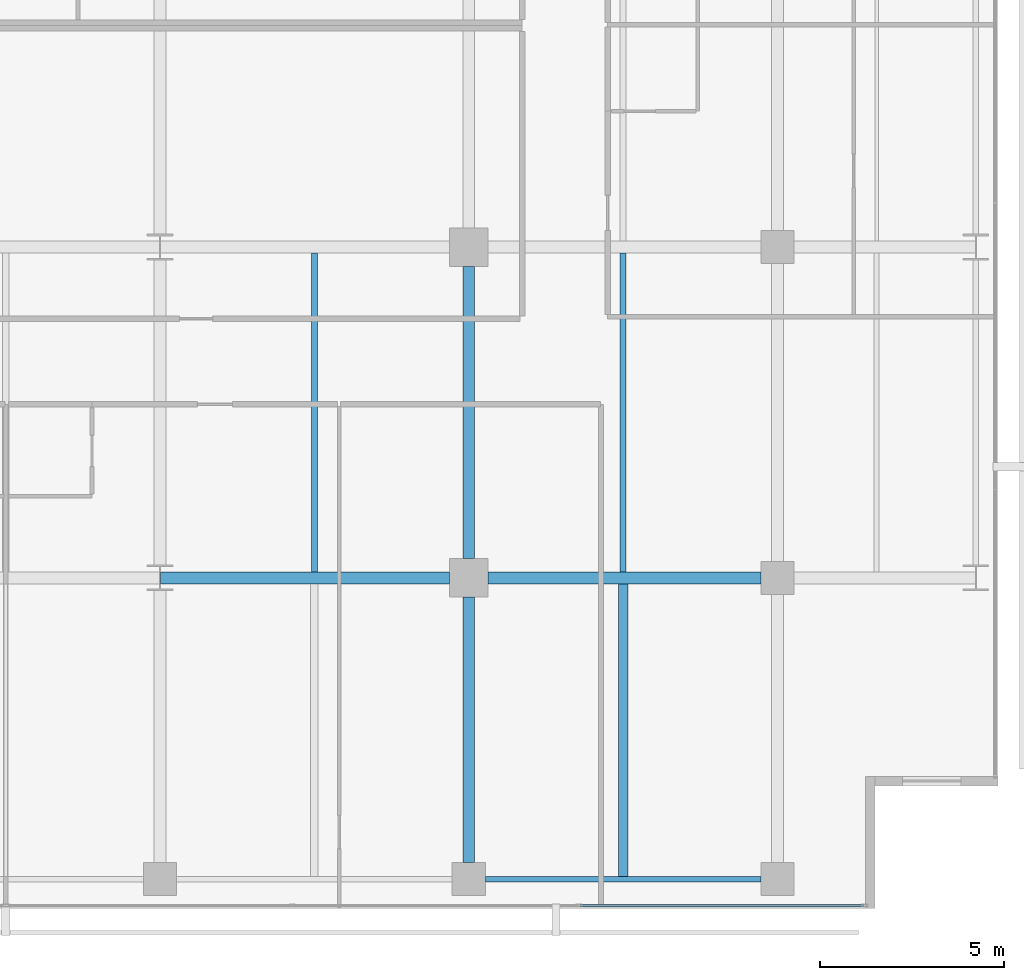
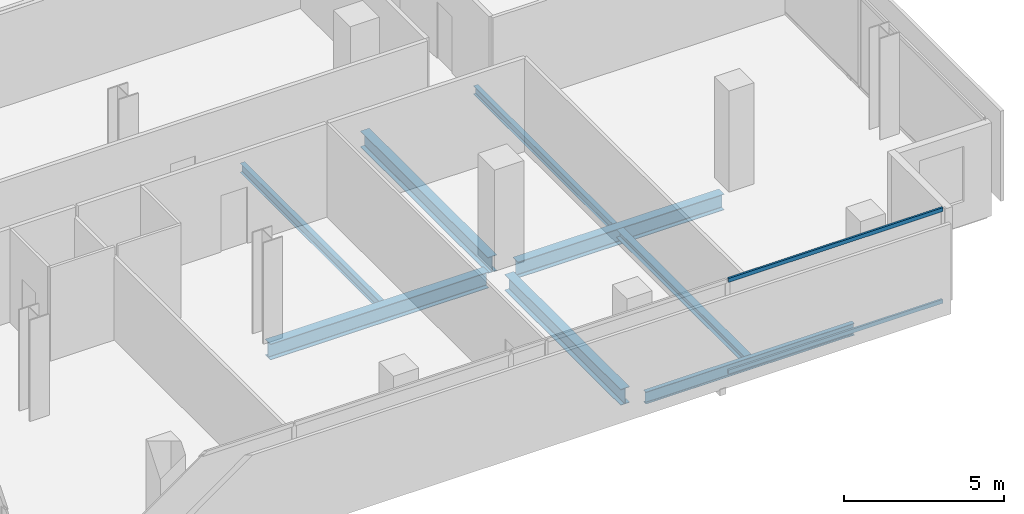
# One storey, part 15 of 39: 8 beams, 2 members, 1 element without a shape of its own.
"""IFC4 building model written with IfcOpenShell, lengths in metres."""

from ifc_helpers import new_model, si_unit, direction, frame, origin, origin_2d, place, context, subcontext, project, spatial, hollow_rectangle, i_section, extrude, material, layer, layer_set, material_profile, profile_set, type_object, element, aggregate, save


model = new_model("IFC4")

# Units and contexts
model_context = context("Model", 3, precision=1e-05, world=origin(), true_north=direction((0.0, 1.0)))
body_context = subcontext(model_context, "Body", "Model", "MODEL_VIEW")
ifc_project = project(units=[si_unit("LENGTHUNIT", "METRE"), si_unit("AREAUNIT", "SQUARE_METRE"), si_unit("VOLUMEUNIT", "CUBIC_METRE"), si_unit("PLANEANGLEUNIT", "RADIAN"), si_unit("MASSUNIT", "GRAM", prefix="KILO")], contexts=[model_context])

# Site, building, storey
site_placement = place(None, origin())
site = spatial("IfcSite", under=ifc_project, at=site_placement, CompositionType="ELEMENT")
building_placement = place(site_placement, origin())
building = spatial("IfcBuilding", under=site, at=building_placement, Name="Maruvema Waterfront Hotel and Observation Tower", CompositionType="ELEMENT")
storey_placement = place(building_placement, frame((0.0, 0.0, 111.64990234375)))
storey = spatial("IfcBuildingStorey", under=building, at=storey_placement, Name="L27", CompositionType="ELEMENT", Elevation=111.64990234375)

# Curtain wall, members
ifc_material_1 = material(Name="Anodised bronze aluminium and solar-control low-E IGU", Category="aluminium")
ifc_layer = layer(ifc_material_1, 0.159912109375, Name="Zone 1 Bronze Inner Thermal Curtain Wall System CW-02")
ifc_layer_set = layer_set([ifc_layer], Name="Anodised bronze aluminium and solar-control low-E IGU")
curtain_wall_type = type_object("IfcCurtainWallType", Name="Zone 1 Bronze Inner Thermal Curtain Wall System CW-02", PredefinedType="USERDEFINED", material=ifc_layer_set)
curtain_wall_placement = place(storey_placement, origin())
curtain_wall = element("IfcCurtainWall", 1, at=curtain_wall_placement, inside=storey, type_object=curtain_wall_type, Name="L27 Curtain Wall CW-L27-S", ObjectType="UNITISED CURTAIN WALL", PredefinedType="USERDEFINED")
ifc_material_2 = material(Name="Anodised architectural bronze aluminium", Category="aluminium")
ifc_material_profile_1 = material_profile(ifc_material_2, hollow_rectangle(XDim=0.070068359375, YDim=0.14990234375, WallThickness=0.00390625, at=origin_2d()), Name="ALU-T70x150")
ifc_profile_set_1 = profile_set([ifc_material_profile_1], Name="Anodised architectural bronze aluminium")
member_type = type_object("IfcMemberType", Name="Curtain Wall Horizontal Transom ALU-T70x150", PredefinedType="USERDEFINED", material=ifc_profile_set_1)
member_1_placement = place(storey_placement, frame((53.429931640625, 0.080078125, 0.030029296875), z_axis=(1.0, 0.0, 0.0), x_axis=(0.0, 1.0, 0.0)))
member_1 = element("IfcMember", 2, at=member_1_placement, type_object=member_type, Name="CW-02 transom 6.1", ObjectType="TRANSOM", PredefinedType="USERDEFINED", context=body_context, shape_type="SweptSolid", body=[
    extrude(hollow_rectangle(XDim=0.070068359375, YDim=0.14990234375, WallThickness=0.00390625, at=origin_2d()), origin(), (0.0, 0.0, 1.0), 7.7099609375),
])
member_2_placement = place(storey_placement, frame((53.429931640625, 0.080078125, 3.52001953125), z_axis=(1.0, 0.0, 0.0), x_axis=(0.0, 1.0, 0.0)))
member_2 = element("IfcMember", 3, at=member_2_placement, type_object=member_type, Name="CW-02 transom 6.2", ObjectType="TRANSOM", PredefinedType="USERDEFINED", context=body_context, shape_type="SweptSolid", body=[
    extrude(hollow_rectangle(XDim=0.070068359375, YDim=0.14990234375, WallThickness=0.00390625, at=origin_2d()), origin(), (0.0, 0.0, 1.0), 7.7099609375),
])
aggregate(curtain_wall, [member_1, member_2])

# Beams
ifc_material_3 = material(Name="Steel ASTM A572 Grade 50", Category="steel")
ifc_material_profile_2 = material_profile(ifc_material_3, i_section(OverallWidth=0.153076171875, OverallDepth=0.455078125, WebThickness=0.008056640625, FlangeThickness=0.01318359375, FilletRadius=0.014892578125, at=origin_2d()), Name="W460x60.0")
ifc_profile_set_2 = profile_set([ifc_material_profile_2], Name="Steel ASTM A572 Grade 50")
beam_type_1 = type_object("IfcBeamType", Name="Perimeter Spandrel Beam W460x60.0", PredefinedType="SPANDREL", material=ifc_profile_set_2)
beam_1_placement = place(storey_placement, frame((50.85009765625, 0.800048828125, -0.46728515625), z_axis=(1.0, 0.0, 0.0), x_axis=(0.0, 1.0, 0.0)))
element("IfcBeam", 4, at=beam_1_placement, inside=storey, type_object=beam_type_1, Name="L27 Floor Girder EW-05", PredefinedType="SPANDREL", context=body_context, shape_type="SweptSolid", body=[
    extrude(i_section(OverallWidth=0.153076171875, OverallDepth=0.455078125, WebThickness=0.008056640625, FlangeThickness=0.01318359375, FilletRadius=0.014892578125, at=origin_2d()), origin(), (0.0, 0.0, 1.0), 7.5),
])
ifc_material_4 = material(Name="Steel ASTM A572 Grade 50", Category="steel")
ifc_material_profile_3 = material_profile(ifc_material_4, i_section(OverallWidth=0.323974609375, OverallDepth=0.611083984375, WebThickness=0.0126953125, FlangeThickness=0.01904296875, FilletRadius=0.01806640625, at=origin_2d()), Name="W610x155.0")
ifc_profile_set_3 = profile_set([ifc_material_profile_3], Name="Steel ASTM A572 Grade 50")
beam_type_2 = type_object("IfcBeamType", Name="Primary Floor Girder W610x155.0", PredefinedType="BEAM", material=ifc_profile_set_3)
beam_2_placement = place(storey_placement, frame((42.013916015625, 9.0, -0.54541015625), z_axis=(1.0, 0.0, 0.0), x_axis=(0.0, 1.0, 0.0)))
element("IfcBeam", 5, at=beam_2_placement, inside=storey, type_object=beam_type_2, Name="L27 Floor Girder EW-10", PredefinedType="BEAM", context=body_context, shape_type="SweptSolid", body=[
    extrude(i_section(OverallWidth=0.323974609375, OverallDepth=0.611083984375, WebThickness=0.0126953125, FlangeThickness=0.01904296875, FilletRadius=0.01806640625, at=origin_2d()), origin(), (0.0, 0.0, 1.0), 7.861083984375),
])
beam_3_placement = place(storey_placement, frame((50.925048828125, 9.0, -0.54541015625), z_axis=(1.0, 0.0, 0.0), x_axis=(0.0, 1.0, 0.0)))
element("IfcBeam", 6, at=beam_3_placement, inside=storey, type_object=beam_type_2, Name="L27 Floor Girder EW-11", PredefinedType="BEAM", context=body_context, shape_type="SweptSolid", body=[
    extrude(i_section(OverallWidth=0.323974609375, OverallDepth=0.611083984375, WebThickness=0.0126953125, FlangeThickness=0.01904296875, FilletRadius=0.01806640625, at=origin_2d()), origin(), (0.0, 0.0, 1.0), 7.425048828125),
])
beam_4_placement = place(storey_placement, frame((50.39990234375, 1.25, -0.54541015625), z_axis=(0.0, 1.0, 0.0), x_axis=(-1.0, 0.0, 0.0)))
element("IfcBeam", 7, at=beam_4_placement, inside=storey, type_object=beam_type_2, Name="L27 Floor Girder NS-22", PredefinedType="BEAM", context=body_context, shape_type="SweptSolid", body=[
    extrude(i_section(OverallWidth=0.323974609375, OverallDepth=0.611083984375, WebThickness=0.0126953125, FlangeThickness=0.01904296875, FilletRadius=0.01806640625, at=origin_2d()), origin(), (0.0, 0.0, 1.0), 7.22509765625),
])
beam_5_placement = place(storey_placement, frame((50.39990234375, 9.52490234375, -0.54541015625), z_axis=(0.0, 1.0, 0.0), x_axis=(-1.0, 0.0, 0.0)))
element("IfcBeam", 8, at=beam_5_placement, inside=storey, type_object=beam_type_2, Name="L27 Floor Girder NS-23", PredefinedType="BEAM", context=body_context, shape_type="SweptSolid", body=[
    extrude(i_section(OverallWidth=0.323974609375, OverallDepth=0.611083984375, WebThickness=0.0126953125, FlangeThickness=0.01904296875, FilletRadius=0.01806640625, at=origin_2d()), origin(), (0.0, 0.0, 1.0), 7.9501953125),
])
ifc_material_5 = material(Name="Steel ASTM A572 Grade 50", Category="steel")
ifc_material_profile_4 = material_profile(ifc_material_5, i_section(OverallWidth=0.1669921875, OverallDepth=0.31689453125, WebThickness=0.007568359375, FlangeThickness=0.01318359375, FilletRadius=0.012939453125, at=origin_2d()), Name="W310x52.0")
ifc_profile_set_4 = profile_set([ifc_material_profile_4], Name="Steel ASTM A572 Grade 50")
beam_type_3 = type_object("IfcBeamType", Name="Secondary Floor Joist W310x52.0", PredefinedType="JOIST", material=ifc_profile_set_4)
beam_6_placement = place(storey_placement, frame((54.60009765625, 9.162109375, -0.3984375), z_axis=(0.0, 1.0, 0.0), x_axis=(-1.0, 0.0, 0.0)))
element("IfcBeam", 9, at=beam_6_placement, inside=storey, type_object=beam_type_3, Name="L27 Secondary Floor Joist JS-17", PredefinedType="JOIST", context=body_context, shape_type="SweptSolid", body=[
    extrude(i_section(OverallWidth=0.1669921875, OverallDepth=0.31689453125, WebThickness=0.007568359375, FlangeThickness=0.01318359375, FilletRadius=0.012939453125, at=origin_2d()), origin(), (0.0, 0.0, 1.0), 8.67578125),
])
ifc_material_6 = material(Name="Steel ASTM A572 Grade 50", Category="steel")
ifc_material_profile_5 = material_profile(ifc_material_6, i_section(OverallWidth=0.25390625, OverallDepth=0.305908203125, WebThickness=0.0087890625, FlangeThickness=0.0146484375, FilletRadius=0.014892578125, at=origin_2d()), Name="W310x79.0")
ifc_profile_set_5 = profile_set([ifc_material_profile_5], Name="Steel ASTM A572 Grade 50")
beam_type_4 = type_object("IfcBeamType", Name="Secondary Floor Joist W310x79.0", PredefinedType="JOIST", material=ifc_profile_set_5)
beam_7_placement = place(storey_placement, frame((54.60009765625, 0.87646484375, -0.392822265625), z_axis=(0.0, 1.0, 0.0), x_axis=(-1.0, 0.0, 0.0)))
element("IfcBeam", 10, at=beam_7_placement, inside=storey, type_object=beam_type_4, Name="L27 Secondary Floor Joist JS-16", PredefinedType="JOIST", context=body_context, shape_type="SweptSolid", body=[
    extrude(i_section(OverallWidth=0.25390625, OverallDepth=0.305908203125, WebThickness=0.0087890625, FlangeThickness=0.0146484375, FilletRadius=0.014892578125, at=origin_2d()), origin(), (0.0, 0.0, 1.0), 7.96142578125),
])
ifc_material_7 = material(Name="Steel ASTM A572 Grade 50", Category="steel")
ifc_material_profile_6 = material_profile(ifc_material_7, i_section(OverallWidth=0.1708984375, OverallDepth=0.35498046875, WebThickness=0.007080078125, FlangeThickness=0.01171875, FilletRadius=0.014892578125, at=origin_2d()), Name="W360x51.0")
ifc_profile_set_6 = profile_set([ifc_material_profile_6], Name="Steel ASTM A572 Grade 50")
beam_type_5 = type_object("IfcBeamType", Name="Secondary Floor Joist W360x51.0", PredefinedType="JOIST", material=ifc_profile_set_6)
beam_8_placement = place(storey_placement, frame((46.199951171875, 9.162109375, -0.41748046875), z_axis=(0.0, 1.0, 0.0), x_axis=(-1.0, 0.0, 0.0)))
element("IfcBeam", 11, at=beam_8_placement, inside=storey, type_object=beam_type_5, Name="L27 Secondary Floor Joist JS-15", PredefinedType="JOIST", context=body_context, shape_type="SweptSolid", body=[
    extrude(i_section(OverallWidth=0.1708984375, OverallDepth=0.35498046875, WebThickness=0.007080078125, FlangeThickness=0.01171875, FilletRadius=0.014892578125, at=origin_2d()), origin(), (0.0, 0.0, 1.0), 8.67578125),
])

save(model, "model.ifc")
